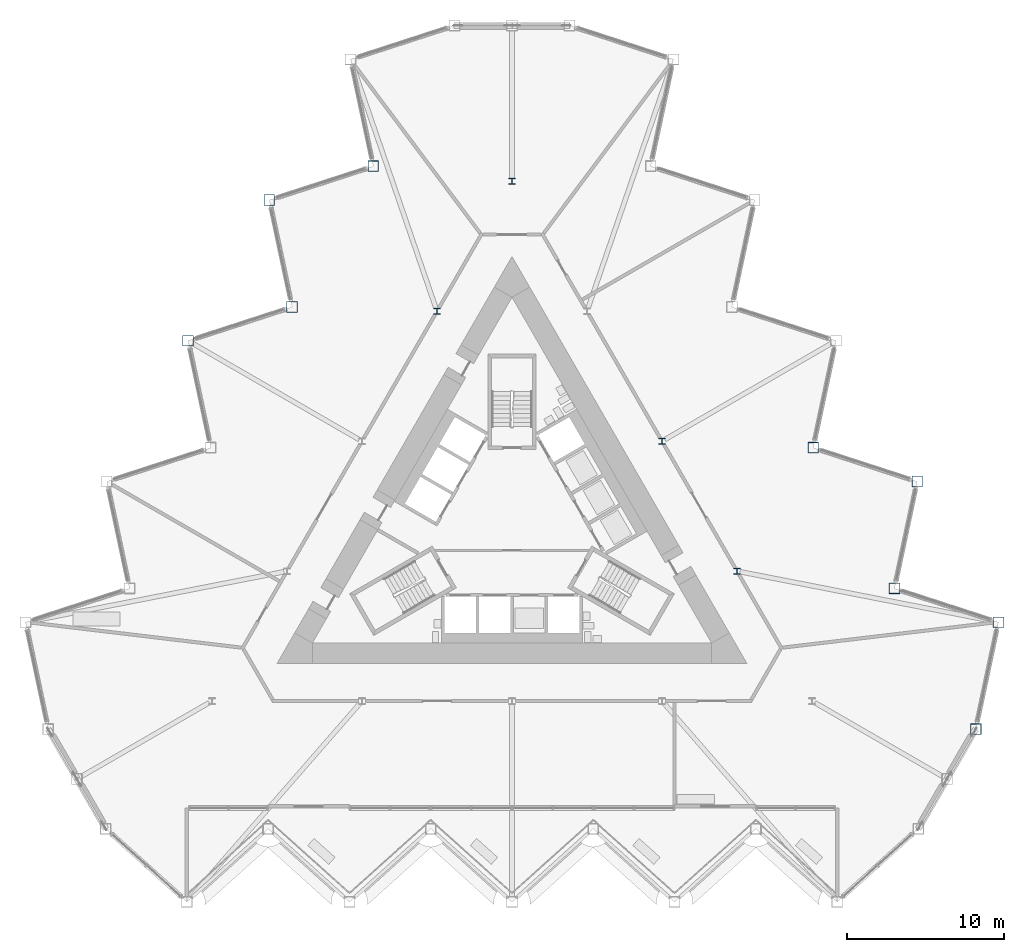
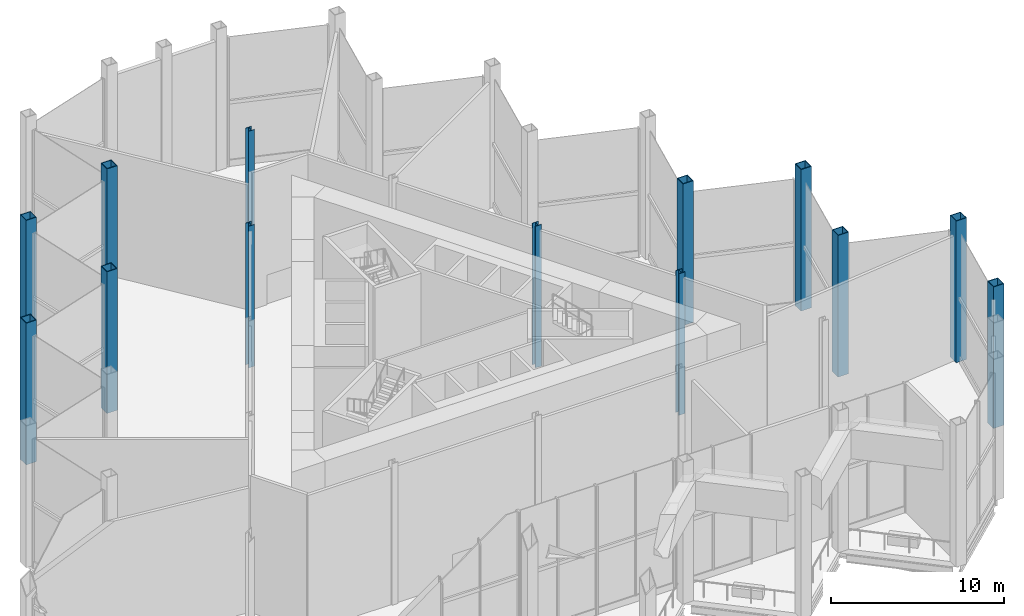
# One storey, part 2 of 17: 13 columns.
"""IFC4 building model written with IfcOpenShell, lengths in metres."""

from ifc_helpers import new_model, si_unit, direction, frame, origin, origin_2d, place, context, subcontext, project, spatial, hollow_rectangle, i_section, extrude, material, material_profile, profile_set, type_object, element, save


model = new_model("IFC4")

# Units and contexts
model_context = context("Model", 3, precision=1e-05, world=origin(), true_north=direction((0.0, 1.0)))
body_context = subcontext(model_context, "Body", "Model", "MODEL_VIEW")
ifc_project = project(units=[si_unit("LENGTHUNIT", "METRE"), si_unit("AREAUNIT", "SQUARE_METRE"), si_unit("VOLUMEUNIT", "CUBIC_METRE"), si_unit("PLANEANGLEUNIT", "RADIAN"), si_unit("MASSUNIT", "GRAM", prefix="KILO")], contexts=[model_context])

# Site, building, storey
site_placement = place(None, origin())
site = spatial("IfcSite", under=ifc_project, at=site_placement, CompositionType="ELEMENT")
building_placement = place(site_placement, origin())
building = spatial("IfcBuilding", under=site, at=building_placement, Name="Cormorant Prow Tower", CompositionType="ELEMENT")
storey_placement = place(building_placement, frame((0.0, 0.0, 277.800048828125)))
storey = spatial("IfcBuildingStorey", under=building, at=storey_placement, Name="L63", CompositionType="ELEMENT", Elevation=277.800048828125)

# Columns
ifc_material_1 = material(Name="Structural steel ASTM A572 Gr 50", Category="steel")
ifc_material_profile_1 = material_profile(ifc_material_1, hollow_rectangle(XDim=0.699951171875, YDim=0.699951171875, WallThickness=0.044921875, at=origin_2d()), Name="Box 700x700x45")
ifc_profile_set_1 = profile_set([ifc_material_profile_1], Name="Structural steel ASTM A572 Gr 50")
column_type_1 = type_object("IfcColumnType", Name="Perimeter box column 700x700x45", PredefinedType="COLUMN", material=ifc_profile_set_1)
for number, where, z_axis, x_axis, name in (
    (1, (29.611572265625, -12.858154296875, 0.0), (0.0, 0.0, 1.0), (1.0, 0.0, 0.0), "Perimeter column C5 at ENE00 L63"),
    (2, (31.063232421875, -6.029052734375, 0.0), (0.0, 0.0, 1.0), (1.0, 0.0, 0.0), "Perimeter column C5 at ENE01 L63"),
    (3, (24.42333984375, -3.871826171875, 0.0), (0.0, 0.0, 1.0), (1.0, 0.0, 0.0), "Perimeter column C5 at ENE02 L63"),
    (4, (25.875, 2.957275390625, 0.0), (0.0, 0.0, 1.0), (1.0, 0.0, 0.0), "Perimeter column C5 at ENE03 L63"),
    (5, (19.235107421875, 5.114501953125, 0.0), (0.0, 0.0, 1.0), (1.0, 0.0, 0.0), "Perimeter column C5 at ENE04 L63"),
    (6, (-8.858642578125, 23.087158203125, 0.0), (0.0, 0.0, 1.0), (1.0, 0.0, 0.0), "Perimeter column C5 at WNW02 L63"),
    (7, (-15.49853515625, 20.9296875, 0.0), (0.0, 0.0, 1.0), (1.0, 0.0, 0.0), "Perimeter column C5 at WNW03 L63"),
    (8, (-14.046875, 14.100830078125, 0.0), (0.0, 0.0, 1.0), (1.0, 0.0, 0.0), "Perimeter column C5 at WNW04 L63"),
    (9, (-20.686767578125, 11.943359375, 0.0), (0.0, 0.0, 1.0), (1.0, 0.0, 0.0), "Perimeter column C5 at WNW05 L63"),
):
    element("IfcColumn", number, at=place(storey_placement, frame(where, z_axis=z_axis, x_axis=x_axis)), inside=storey, type_object=column_type_1, Name=name, PredefinedType="COLUMN", context=body_context, shape_type="SweptSolid", body=[
        extrude(hollow_rectangle(XDim=0.699951171875, YDim=0.699951171875, WallThickness=0.044921875, at=origin_2d()), origin(), (0.0, 0.0, 1.0), 10.0),
    ])
ifc_material_2 = material(Name="Structural steel ASTM A992 Gr 50", Category="steel")
ifc_material_profile_2 = material_profile(ifc_material_2, i_section(OverallWidth=0.39892578125, OverallDepth=0.393310546875, WebThickness=0.022705078125, FlangeThickness=0.03662109375, at=origin_2d()), Name="W14x193")
ifc_profile_set_2 = profile_set([ifc_material_profile_2], Name="Structural steel ASTM A992 Gr 50")
column_type_2 = type_object("IfcColumnType", Name="Ring column W14x193", PredefinedType="COLUMN", material=ifc_profile_set_2)
for number, where, z_axis, x_axis, name in (
    (10, (0.0, 22.12060546875, 0.0), (0.0, 0.0, 1.0), (1.0, 0.0, 0.0), "Ring column 1 L63"),
    (11, (-4.789306640625, 13.8251953125, 0.0), (0.0, 0.0, 1.0), (1.0, 0.0, 0.0), "Ring column 2 L63"),
    (12, (14.36767578125, -2.76513671875, 0.0), (0.0, 0.0, 1.0), (1.0, 0.0, 0.0), "Ring column 10 L63"),
    (13, (9.578369140625, 5.530029296875, 0.0), (0.0, 0.0, 1.0), (1.0, 0.0, 0.0), "Ring column 11 L63"),
):
    element("IfcColumn", number, at=place(storey_placement, frame(where, z_axis=z_axis, x_axis=x_axis)), inside=storey, type_object=column_type_2, Name=name, PredefinedType="COLUMN", context=body_context, shape_type="SweptSolid", body=[
        extrude(i_section(OverallWidth=0.39892578125, OverallDepth=0.393310546875, WebThickness=0.022705078125, FlangeThickness=0.03662109375, at=origin_2d()), origin(), (0.0, 0.0, 1.0), 10.0),
    ])

save(model, "model.ifc")
